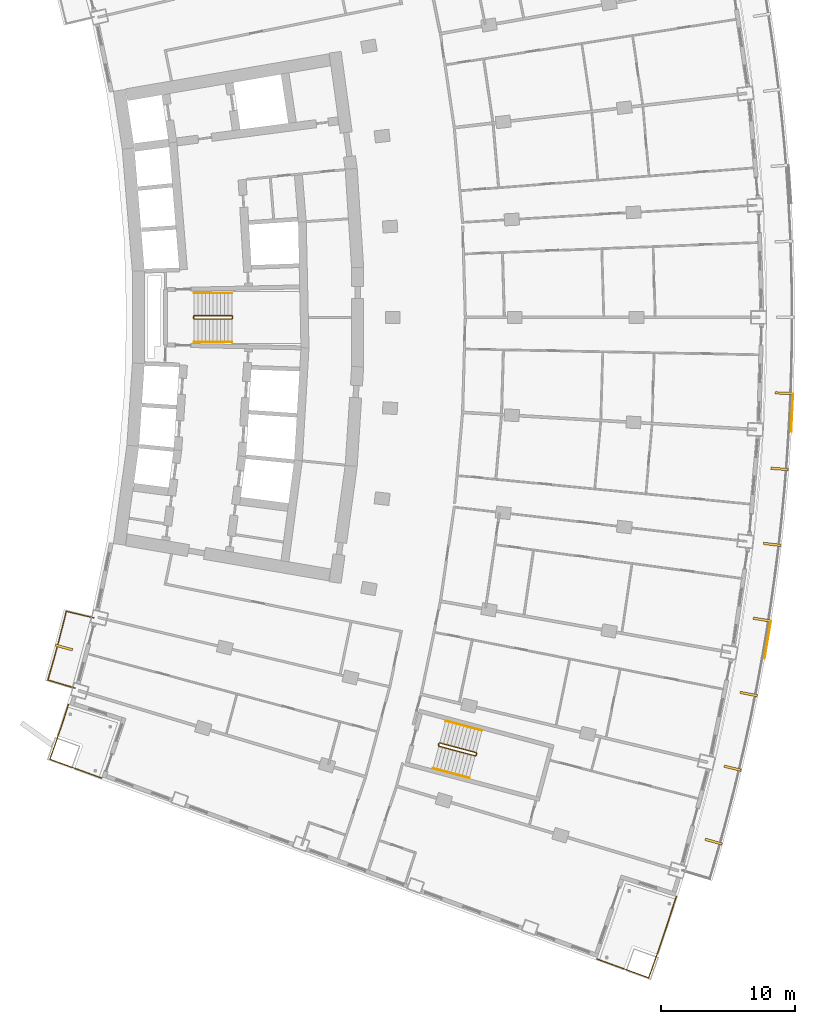
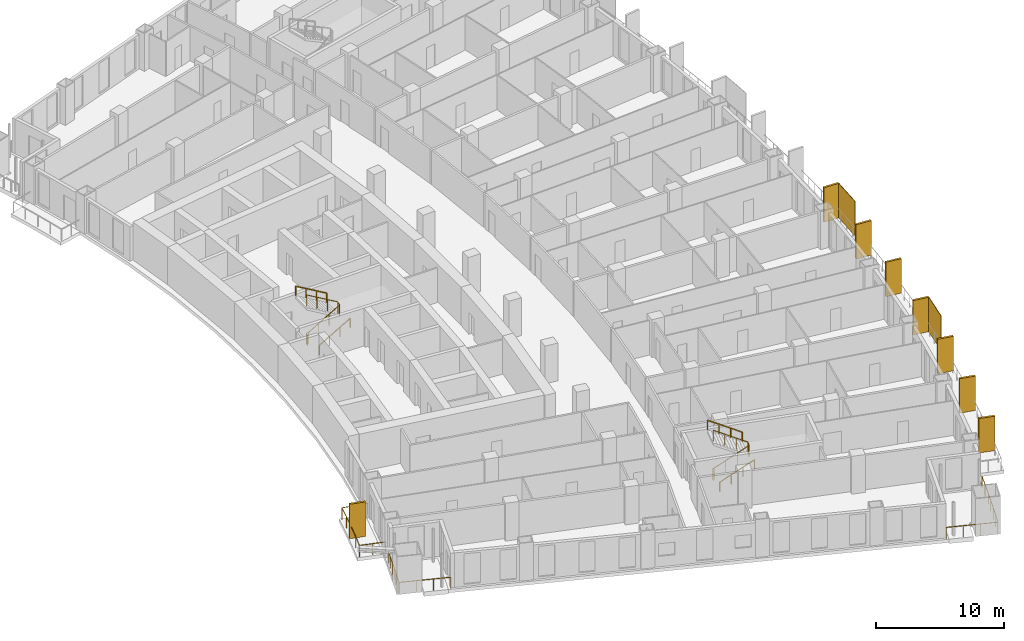
# One storey, part 23 of 25: 10 shading devices, 9 railings.
"""IFC4 building model written with IfcOpenShell, lengths in metres."""

from ifc_helpers import new_model, si_unit, direction, frame, origin, origin_with_axes, origin_2d, place, context, subcontext, project, spatial, rectangle, extrude, material, layer, layer_set, type_object, element, save


model = new_model("IFC4")

# Units and contexts
model_context = context("Model", 3, precision=1e-05, world=origin(), true_north=direction((0.0, 1.0)))
body_context = subcontext(model_context, "Body", "Model", "MODEL_VIEW")
ifc_project = project(units=[si_unit("LENGTHUNIT", "METRE"), si_unit("AREAUNIT", "SQUARE_METRE"), si_unit("VOLUMEUNIT", "CUBIC_METRE"), si_unit("PLANEANGLEUNIT", "RADIAN"), si_unit("MASSUNIT", "GRAM", prefix="KILO")], contexts=[model_context])

# Site, building, storey
site_placement = place(None, origin())
site = spatial("IfcSite", under=ifc_project, at=site_placement, CompositionType="ELEMENT")
building_placement = place(site_placement, origin())
building = spatial("IfcBuilding", under=site, at=building_placement, Name="Alderwake Tower", CompositionType="ELEMENT")
storey_placement = place(building_placement, frame((0.0, 0.0, 46.39990234375)))
storey = spatial("IfcBuildingStorey", under=building, at=storey_placement, Name="L10", CompositionType="ELEMENT", Elevation=46.39990234375)

# Railings
ifc_material_1 = material(Name="Stainless steel 316 rail and posts", Category="steel")
railing_type_1 = type_object("IfcRailingType", Name="Balcony guard 1100", PredefinedType="GUARDRAIL", material=ifc_material_1)
railing_1_placement = place(storey_placement, frame((12.16650390625, 33.435791015625, 0.0)))
element("IfcRailing", 1, at=railing_1_placement, inside=storey, type_object=railing_type_1, Name="Guard BR02", PredefinedType="GUARDRAIL", context=body_context, shape_type="SweptSolid", body=[
    extrude(rectangle(XDim=0.048095703125, YDim=0.048095703125, at=origin_2d()), frame((0.0, 0.0, 1.076171875), z_axis=(-0.958091458885, 0.286462486918, 0.0), x_axis=(-0.286462486918, -0.958091458885, 0.0)), (0.0, 0.0, 1.0), 2.099853515625),
    extrude(rectangle(XDim=0.048095703125, YDim=0.048095703125, at=origin_2d()), frame((-2.011962890625, 0.6015625, 1.076171875), z_axis=(0.279963157487, 0.960010744966, 0.0), x_axis=(-0.960010744966, 0.279963157487, 0.0)), (0.0, 0.0, 1.0), 1.272216796875),
    extrude(rectangle(XDim=0.048095703125, YDim=0.048095703125, at=origin_2d()), frame((-1.65576171875, 1.822998046875, 1.076171875), z_axis=(0.266487604617, 0.963838345671, 0.0), x_axis=(-0.963838345671, 0.266487604617, 0.0)), (0.0, 0.0, 1.0), 1.372314453125),
    extrude(rectangle(XDim=0.048095703125, YDim=0.048095703125, at=origin_2d()), frame((-1.2900390625, 3.145751953125, 1.076171875), z_axis=(0.252487086228, 0.967600264204, 0.0), x_axis=(-0.967600264204, 0.252487086228, 0.0)), (0.0, 0.0, 1.0), 1.3720703125),
    extrude(rectangle(XDim=0.048095703125, YDim=0.048095703125, at=origin_2d()), frame((-0.943603515625, 4.473388671875, 1.076171875), z_axis=(0.238877101641, 0.971049808358, 0.0), x_axis=(-0.971049808358, 0.238877101641, 0.0)), (0.0, 0.0, 1.0), 1.2724609375),
    extrude(rectangle(XDim=0.048095703125, YDim=0.048095703125, at=origin_2d()), frame((-0.6396484375, 5.708984375, 1.076171875), z_axis=(0.972646310656, -0.232291098337, 0.0), x_axis=(0.232291098337, 0.972646310656, 0.0)), (0.0, 0.0, 1.0), 2.099853515625),
    extrude(rectangle(XDim=0.0419921875, YDim=0.0419921875, at=origin_2d()), frame((0.0, 0.0, 0.0), z_axis=(0.0, 0.0, 1.0), x_axis=(-0.958091458885, 0.286462486918, 0.0)), (0.0, 0.0, 1.0), 1.052001953125),
    extrude(rectangle(XDim=0.0419921875, YDim=0.0419921875, at=origin_2d()), frame((-1.005859375, 0.30078125, 0.0), z_axis=(0.0, 0.0, 1.0), x_axis=(-0.958091458885, 0.286462486918, 0.0)), (0.0, 0.0, 1.0), 1.052001953125),
    extrude(rectangle(XDim=0.0419921875, YDim=0.0419921875, at=origin_2d()), frame((-2.011962890625, 0.6015625, 0.0), z_axis=(0.0, 0.0, 1.0), x_axis=(0.279963157487, 0.960010744966, 0.0)), (0.0, 0.0, 1.0), 1.052001953125),
    extrude(rectangle(XDim=0.0419921875, YDim=0.0419921875, at=origin_2d()), frame((-1.65576171875, 1.822998046875, 0.0), z_axis=(0.0, 0.0, 1.0), x_axis=(0.266487604617, 0.963838345671, 0.0)), (0.0, 0.0, 1.0), 1.052001953125),
    extrude(rectangle(XDim=0.0419921875, YDim=0.0419921875, at=origin_2d()), frame((-1.2900390625, 3.145751953125, 0.0), z_axis=(0.0, 0.0, 1.0), x_axis=(0.252487086228, 0.967600264204, 0.0)), (0.0, 0.0, 1.0), 1.052001953125),
    extrude(rectangle(XDim=0.0419921875, YDim=0.0419921875, at=origin_2d()), frame((-0.943603515625, 4.473388671875, 0.0), z_axis=(0.0, 0.0, 1.0), x_axis=(0.238877101641, 0.971049808358, 0.0)), (0.0, 0.0, 1.0), 1.052001953125),
    extrude(rectangle(XDim=0.0419921875, YDim=0.0419921875, at=origin_2d()), frame((-0.6396484375, 5.708984375, 0.0), z_axis=(0.0, 0.0, 1.0), x_axis=(0.972646310656, -0.232291098337, 0.0)), (0.0, 0.0, 1.0), 1.052001953125),
    extrude(rectangle(XDim=0.0419921875, YDim=0.0419921875, at=origin_2d()), frame((0.381591796875, 5.465087890625, 0.0), z_axis=(0.0, 0.0, 1.0), x_axis=(0.972646310656, -0.232291098337, 0.0)), (0.0, 0.0, 1.0), 1.052001953125),
    extrude(rectangle(XDim=0.0419921875, YDim=0.0419921875, at=origin_2d()), frame((1.40283203125, 5.22119140625, 0.0), z_axis=(0.0, 0.0, 1.0), x_axis=(0.972646310656, -0.232291098337, 0.0)), (0.0, 0.0, 1.0), 1.052001953125),
])
railing_2_placement = place(storey_placement, frame((56.88330078125, 17.927490234375, 0.0)))
element("IfcRailing", 2, at=railing_2_placement, inside=storey, type_object=railing_type_1, Name="Guard terrace FS", PredefinedType="GUARDRAIL", context=body_context, shape_type="SweptSolid", body=[
    extrude(rectangle(XDim=0.048095703125, YDim=0.048095703125, at=origin_2d()), frame((0.0, 0.0, 1.076171875), z_axis=(-0.307845801485, -0.951436262977, 0.0), x_axis=(0.951436262977, -0.307845801485, 0.0)), (0.0, 0.0, 1.0), 2.292724609375),
    extrude(rectangle(XDim=0.048095703125, YDim=0.048095703125, at=origin_2d()), frame((-0.705810546875, -2.181396484375, 1.076171875), z_axis=(-0.322241552388, -0.946657478666, 0.0), x_axis=(0.946657478666, -0.322241552388, 0.0)), (0.0, 0.0, 1.0), 2.092529296875),
    extrude(rectangle(XDim=0.048095703125, YDim=0.048095703125, at=origin_2d()), frame((-1.380126953125, -4.162353515625, 1.076171875), z_axis=(-0.335715388467, -0.941963469539, 0.0), x_axis=(0.941963469539, -0.335715388467, 0.0)), (0.0, 0.0, 1.0), 1.99267578125),
    extrude(rectangle(XDim=0.048095703125, YDim=0.048095703125, at=origin_2d()), frame((-2.049072265625, -6.039306640625, 1.076171875), z_axis=(-0.939624669849, 0.342206779317, 0.0), x_axis=(-0.342206779317, -0.939624669849, 0.0)), (0.0, 0.0, 1.0), 4.10009765625),
    extrude(rectangle(XDim=0.0419921875, YDim=0.0419921875, at=origin_2d()), frame((0.0, 0.0, 0.0), z_axis=(0.0, 0.0, 1.0), x_axis=(-0.307845801485, -0.951436262977, 0.0)), (0.0, 0.0, 1.0), 1.052001953125),
    extrude(rectangle(XDim=0.0419921875, YDim=0.0419921875, at=origin_2d()), frame((-0.35302734375, -1.0908203125, 0.0), z_axis=(0.0, 0.0, 1.0), x_axis=(-0.307845801485, -0.951436262977, 0.0)), (0.0, 0.0, 1.0), 1.052001953125),
    extrude(rectangle(XDim=0.0419921875, YDim=0.0419921875, at=origin_2d()), frame((-0.705810546875, -2.181396484375, 0.0), z_axis=(0.0, 0.0, 1.0), x_axis=(-0.322241552388, -0.946657478666, 0.0)), (0.0, 0.0, 1.0), 1.052001953125),
    extrude(rectangle(XDim=0.0419921875, YDim=0.0419921875, at=origin_2d()), frame((-1.04296875, -3.171875, 0.0), z_axis=(0.0, 0.0, 1.0), x_axis=(-0.322241552388, -0.946657478666, 0.0)), (0.0, 0.0, 1.0), 1.052001953125),
    extrude(rectangle(XDim=0.0419921875, YDim=0.0419921875, at=origin_2d()), frame((-1.380126953125, -4.162353515625, 0.0), z_axis=(0.0, 0.0, 1.0), x_axis=(-0.335715388467, -0.941963469539, 0.0)), (0.0, 0.0, 1.0), 1.052001953125),
    extrude(rectangle(XDim=0.0419921875, YDim=0.0419921875, at=origin_2d()), frame((-1.714599609375, -5.100830078125, 0.0), z_axis=(0.0, 0.0, 1.0), x_axis=(-0.335715388467, -0.941963469539, 0.0)), (0.0, 0.0, 1.0), 1.052001953125),
    extrude(rectangle(XDim=0.0419921875, YDim=0.0419921875, at=origin_2d()), frame((-2.049072265625, -6.039306640625, 0.0), z_axis=(0.0, 0.0, 1.0), x_axis=(-0.939624669849, 0.342206779317, 0.0)), (0.0, 0.0, 1.0), 1.052001953125),
    extrude(rectangle(XDim=0.0419921875, YDim=0.0419921875, at=origin_2d()), frame((-3.333251953125, -5.571533203125, 0.0), z_axis=(0.0, 0.0, 1.0), x_axis=(-0.939624669849, 0.342206779317, 0.0)), (0.0, 0.0, 1.0), 1.052001953125),
    extrude(rectangle(XDim=0.0419921875, YDim=0.0419921875, at=origin_2d()), frame((-4.617431640625, -5.10400390625, 0.0), z_axis=(0.0, 0.0, 1.0), x_axis=(-0.939624669849, 0.342206779317, 0.0)), (0.0, 0.0, 1.0), 1.052001953125),
    extrude(rectangle(XDim=0.0419921875, YDim=0.0419921875, at=origin_2d()), frame((-5.901611328125, -4.63623046875, 0.0), z_axis=(0.0, 0.0, 1.0), x_axis=(-0.939624669849, 0.342206779317, 0.0)), (0.0, 0.0, 1.0), 1.052001953125),
])
railing_3_placement = place(storey_placement, frame((11.688720703125, 32.218017578125, 0.0)))
element("IfcRailing", 3, at=railing_3_placement, inside=storey, type_object=railing_type_1, Name="Guard terrace RS", PredefinedType="GUARDRAIL", context=body_context, shape_type="SweptSolid", body=[
    extrude(rectangle(XDim=0.048095703125, YDim=0.048095703125, at=origin_2d()), frame((0.0, 0.0, 1.076171875), z_axis=(-0.307479326145, -0.951554761426, 0.0), x_axis=(0.951554761426, -0.307479326145, 0.0)), (0.0, 0.0, 1.0), 1.6015625),
    extrude(rectangle(XDim=0.048095703125, YDim=0.048095703125, at=origin_2d()), frame((-0.492431640625, -1.52392578125, 1.076171875), z_axis=(-0.322283727344, -0.946643121292, 0.0), x_axis=(0.946643121292, -0.322283727344, 0.0)), (0.0, 0.0, 1.0), 1.4013671875),
    extrude(rectangle(XDim=0.048095703125, YDim=0.048095703125, at=origin_2d()), frame((-0.944091796875, -2.8505859375, 1.076171875), z_axis=(-0.335468607403, -0.942051385778, 0.0), x_axis=(0.942051385778, -0.335468607403, 0.0)), (0.0, 0.0, 1.0), 1.30126953125),
    extrude(rectangle(XDim=0.048095703125, YDim=0.048095703125, at=origin_2d()), frame((-1.380615234375, -4.076416015625, 1.076171875), z_axis=(0.939708203232, -0.341977327873, 0.0), x_axis=(0.341977327873, 0.939708203232, 0.0)), (0.0, 0.0, 1.0), 4.10009765625),
    extrude(rectangle(XDim=0.0419921875, YDim=0.0419921875, at=origin_2d()), frame((0.0, 0.0, 0.0), z_axis=(0.0, 0.0, 1.0), x_axis=(-0.307479326145, -0.951554761426, 0.0)), (0.0, 0.0, 1.0), 1.052001953125),
    extrude(rectangle(XDim=0.0419921875, YDim=0.0419921875, at=origin_2d()), frame((-0.24609375, -0.761962890625, 0.0), z_axis=(0.0, 0.0, 1.0), x_axis=(-0.307479326145, -0.951554761426, 0.0)), (0.0, 0.0, 1.0), 1.052001953125),
    extrude(rectangle(XDim=0.0419921875, YDim=0.0419921875, at=origin_2d()), frame((-0.492431640625, -1.52392578125, 0.0), z_axis=(0.0, 0.0, 1.0), x_axis=(-0.322283727344, -0.946643121292, 0.0)), (0.0, 0.0, 1.0), 1.052001953125),
    extrude(rectangle(XDim=0.0419921875, YDim=0.0419921875, at=origin_2d()), frame((-0.71826171875, -2.187255859375, 0.0), z_axis=(0.0, 0.0, 1.0), x_axis=(-0.322283727344, -0.946643121292, 0.0)), (0.0, 0.0, 1.0), 1.052001953125),
    extrude(rectangle(XDim=0.0419921875, YDim=0.0419921875, at=origin_2d()), frame((-0.944091796875, -2.8505859375, 0.0), z_axis=(0.0, 0.0, 1.0), x_axis=(-0.335468607403, -0.942051385778, 0.0)), (0.0, 0.0, 1.0), 1.052001953125),
    extrude(rectangle(XDim=0.0419921875, YDim=0.0419921875, at=origin_2d()), frame((-1.380615234375, -4.076416015625, 0.0), z_axis=(0.0, 0.0, 1.0), x_axis=(0.939708203232, -0.341977327873, 0.0)), (0.0, 0.0, 1.0), 1.052001953125),
    extrude(rectangle(XDim=0.0419921875, YDim=0.0419921875, at=origin_2d()), frame((-0.096435546875, -4.543701171875, 0.0), z_axis=(0.0, 0.0, 1.0), x_axis=(0.939708203232, -0.341977327873, 0.0)), (0.0, 0.0, 1.0), 1.052001953125),
    extrude(rectangle(XDim=0.0419921875, YDim=0.0419921875, at=origin_2d()), frame((1.18798828125, -5.01123046875, 0.0), z_axis=(0.0, 0.0, 1.0), x_axis=(0.939708203232, -0.341977327873, 0.0)), (0.0, 0.0, 1.0), 1.052001953125),
    extrude(rectangle(XDim=0.0419921875, YDim=0.0419921875, at=origin_2d()), frame((2.47216796875, -5.478515625, 0.0), z_axis=(0.0, 0.0, 1.0), x_axis=(0.939708203232, -0.341977327873, 0.0)), (0.0, 0.0, 1.0), 1.052001953125),
])

# Shading devices
ifc_material_2 = material(Name="Bronze anodised aluminium", Category="aluminium")
ifc_layer_1 = layer(ifc_material_2, 0.179931640625)
ifc_layer_set_1 = layer_set([ifc_layer_1], Name="Facade fin 1300")
shading_device_type_1 = type_object("IfcShadingDeviceType", Name="Facade fin 1300", PredefinedType="USERDEFINED", material=ifc_layer_set_1)
for number, where, z_axis, x_axis, name in (
    (4, (59.661376953125, 22.0166015625, 0.0), (0.0, 0.0, 1.0), (0.96318180783, -0.268850897459, 0.0), "Fin"),
    (5, (61.07177734375, 27.4775390625, 0.0), (0.0, 0.0, 1.0), (0.972908790564, -0.231189284448, 0.0), "Fin"),
    (6, (62.268798828125, 32.9892578125, 0.0), (0.0, 0.0, 1.0), (0.981163751315, -0.193177879441, 0.0), "Fin"),
    (7, (63.248291015625, 38.52880859375, 0.0), (0.0, 0.0, 1.0), (0.987918787879, -0.154972476771, 0.0), "Fin"),
    (8, (64.013916015625, 44.116943359375, 0.0), (0.0, 0.0, 1.0), (0.993198315083, -0.116434990084, 0.0), "Fin"),
    (9, (64.561279296875, 49.73046875, 0.0), (0.0, 0.0, 1.0), (0.996975122026, -0.077721335943, 0.0), "Fin"),
    (10, (64.890380859375, 55.36083984375, 0.0), (0.0, 0.0, 1.0), (0.999243494356, -0.038890088543, 0.0), "Fin"),
    (11, (11.359375, 36.45166015625, 0.0), (0.0, 0.0, 1.0), (0.965744448231, -0.259495010957, 0.0), "Fin"),
):
    element("IfcShadingDevice", number, at=place(storey_placement, frame(where, z_axis=z_axis, x_axis=x_axis)), inside=storey, type_object=shading_device_type_1, Name=name, ObjectType="FIN", PredefinedType="USERDEFINED", context=body_context, shape_type="SweptSolid", body=[
        extrude(rectangle(XDim=1.300048828125, YDim=0.179931640625, at=origin_2d()), origin(), (0.0, 0.0, 1.0), 3.280029296875),
    ])
ifc_material_3 = material(Name="Perforated bronze anodised aluminium", Category="aluminium")
ifc_layer_2 = layer(ifc_material_3, 0.050048828125)
ifc_layer_set_2 = layer_set([ifc_layer_2], Name="Perforated screen panel")
shading_device_type_2 = type_object("IfcShadingDeviceType", Name="Perforated screen panel", PredefinedType="USERDEFINED", material=ifc_layer_set_2)
for number, where, z_axis, x_axis, name in (
    (12, (63.6826171875, 37.030517578125, 0.0), (0.0, 0.0, 1.0), (0.986369013299, -0.164548380739, 0.0), "Screen panel"),
    (13, (65.49609375, 53.92333984375, 0.0), (0.0, 0.0, 1.0), (0.998819231138, -0.048581308217, 0.0), "Screen panel"),
):
    element("IfcShadingDevice", number, at=place(storey_placement, frame(where, z_axis=z_axis, x_axis=x_axis)), inside=storey, type_object=shading_device_type_2, Name=name, ObjectType="SCREEN", PredefinedType="USERDEFINED", context=body_context, shape_type="SweptSolid", body=[
        extrude(rectangle(XDim=0.050048828125, YDim=2.826171875, at=origin_2d()), origin(), (0.0, 0.0, 1.0), 3.280029296875),
    ])

# Railings
ifc_material_4 = material(Name="Stainless steel guard", Category="steel")
railing_type_2 = type_object("IfcRailingType", Name="Stair guard 1100", PredefinedType="GUARDRAIL", material=ifc_material_4)
railing_4_placement = place(storey_placement, frame((20.989990234375, 60.925048828125, 0.0)))
element("IfcRailing", 14, at=railing_4_placement, inside=storey, type_object=railing_type_2, Name="L10 ST-B stair guard 1", PredefinedType="GUARDRAIL", context=body_context, shape_type="SweptSolid", body=[
    extrude(rectangle(XDim=0.048095703125, YDim=0.048095703125, at=origin_2d()), frame((0.0, 0.0, 1.076171875), z_axis=(0.0, 1.0, 0.0), x_axis=(-1.0, 0.0, 0.0)), (0.0, 0.0, 1.0), 0.14990234375),
    extrude(rectangle(XDim=0.048095703125, YDim=0.048095703125, at=origin_2d()), frame((0.0, 0.14990234375, 1.076171875), z_axis=(0.190089865108, -0.759432192796, 0.622196582865), x_axis=(0.970072785993, 0.242814311512, 0.0)), (0.0, 0.0, 1.0), 0.26318359375),
    extrude(rectangle(XDim=0.048095703125, YDim=0.048095703125, at=origin_2d()), frame((0.050048828125, -0.050048828125, 1.23974609375), z_axis=(0.863393664356, 0.0, 0.504530851732), x_axis=(0.0, 1.0, 0.0)), (0.0, 0.0, 1.0), 3.2431640625),
    extrude(rectangle(XDim=0.048095703125, YDim=0.048095703125, at=origin_2d()), frame((2.85009765625, -0.050048828125, 2.8759765625), z_axis=(0.705375805398, 0.708833529934, 0.0), x_axis=(-0.708833529934, 0.705375805398, 0.0)), (0.0, 0.0, 1.0), 0.070556640625),
    extrude(rectangle(XDim=0.048095703125, YDim=0.048095703125, at=origin_2d()), frame((2.89990234375, 0.0, 2.8759765625), z_axis=(0.0, 1.0, 0.0), x_axis=(-1.0, 0.0, 0.0)), (0.0, 0.0, 1.0), 0.14990234375),
    extrude(rectangle(XDim=0.048095703125, YDim=0.048095703125, at=origin_2d()), frame((2.89990234375, 0.14990234375, 2.8759765625), z_axis=(-0.279546231943, 0.280916556609, 0.91811752648), x_axis=(-0.708833529934, -0.705375805398, 0.0)), (0.0, 0.0, 1.0), 0.17822265625),
    extrude(rectangle(XDim=0.048095703125, YDim=0.048095703125, at=origin_2d()), frame((2.85009765625, 0.199951171875, 3.03955078125), z_axis=(-0.863360870873, 0.0, 0.504586966384), x_axis=(0.0, -1.0, 0.0)), (0.0, 0.0, 1.0), 3.2431640625),
    extrude(rectangle(XDim=0.0419921875, YDim=0.0419921875, at=origin_2d()), frame((0.0, 0.0, 0.0), z_axis=(0.0, 0.0, 1.0), x_axis=(0.0, 1.0, 0.0)), (0.0, 0.0, 1.0), 1.052001953125),
    extrude(rectangle(XDim=0.0419921875, YDim=0.0419921875, at=origin_2d()), frame((0.0, 0.14990234375, 0.0), z_axis=(0.0, 0.0, 1.0), x_axis=(0.242814311512, -0.970072785993, 0.0)), (0.0, 0.0, 1.0), 1.052001953125),
    extrude(rectangle(XDim=0.0419921875, YDim=0.0419921875, at=origin_2d()), frame((0.050048828125, -0.050048828125, 0.163818359375), z_axis=(0.0, 0.0, 1.0), x_axis=(1.0, 0.0, 0.0)), (0.0, 0.0, 1.0), 1.052001953125),
    extrude(rectangle(XDim=0.0419921875, YDim=0.0419921875, at=origin_2d()), frame((0.9833984375, -0.050048828125, 0.709228515625), z_axis=(0.0, 0.0, 1.0), x_axis=(1.0, 0.0, 0.0)), (0.0, 0.0, 1.0), 1.052001953125),
    extrude(rectangle(XDim=0.0419921875, YDim=0.0419921875, at=origin_2d()), frame((1.916748046875, -0.050048828125, 1.254638671875), z_axis=(0.0, 0.0, 1.0), x_axis=(1.0, 0.0, 0.0)), (0.0, 0.0, 1.0), 1.052001953125),
    extrude(rectangle(XDim=0.0419921875, YDim=0.0419921875, at=origin_2d()), frame((2.85009765625, -0.050048828125, 1.800048828125), z_axis=(0.0, 0.0, 1.0), x_axis=(0.705375805398, 0.708833529934, 0.0)), (0.0, 0.0, 1.0), 1.052001953125),
    extrude(rectangle(XDim=0.0419921875, YDim=0.0419921875, at=origin_2d()), frame((2.89990234375, 0.0, 1.800048828125), z_axis=(0.0, 0.0, 1.0), x_axis=(0.0, 1.0, 0.0)), (0.0, 0.0, 1.0), 1.052001953125),
    extrude(rectangle(XDim=0.0419921875, YDim=0.0419921875, at=origin_2d()), frame((2.89990234375, 0.14990234375, 1.800048828125), z_axis=(0.0, 0.0, 1.0), x_axis=(-0.705375805398, 0.708833529934, 0.0)), (0.0, 0.0, 1.0), 1.052001953125),
    extrude(rectangle(XDim=0.0419921875, YDim=0.0419921875, at=origin_2d()), frame((2.85009765625, 0.199951171875, 1.963623046875), z_axis=(0.0, 0.0, 1.0), x_axis=(-1.0, 0.0, 0.0)), (0.0, 0.0, 1.0), 1.052001953125),
    extrude(rectangle(XDim=0.0419921875, YDim=0.0419921875, at=origin_2d()), frame((1.916748046875, 0.199951171875, 2.509033203125), z_axis=(0.0, 0.0, 1.0), x_axis=(-1.0, 0.0, 0.0)), (0.0, 0.0, 1.0), 1.052001953125),
    extrude(rectangle(XDim=0.0419921875, YDim=0.0419921875, at=origin_2d()), frame((0.9833984375, 0.199951171875, 3.0546875), z_axis=(0.0, 0.0, 1.0), x_axis=(-1.0, 0.0, 0.0)), (0.0, 0.0, 1.0), 1.052001953125),
    extrude(rectangle(XDim=0.0419921875, YDim=0.0419921875, at=origin_2d()), frame((0.050048828125, 0.199951171875, 3.60009765625), z_axis=(0.0, 0.0, 1.0), x_axis=(-1.0, 0.0, 0.0)), (0.0, 0.0, 1.0), 1.052001953125),
])
railing_5_placement = place(storey_placement, frame((39.1943359375, 29.17431640625, 0.0)))
element("IfcRailing", 15, at=railing_5_placement, inside=storey, type_object=railing_type_2, Name="L10 ST-C stair guard 1", PredefinedType="GUARDRAIL", context=body_context, shape_type="SweptSolid", body=[
    extrude(rectangle(XDim=0.048095703125, YDim=0.048095703125, at=origin_2d()), frame((0.0, 0.0, 1.076171875), z_axis=(0.257459803502, 0.966289009345, 0.0), x_axis=(-0.966289009345, 0.257459803502, 0.0)), (0.0, 0.0, 1.0), 0.14990234375),
    extrude(rectangle(XDim=0.048095703125, YDim=0.048095703125, at=origin_2d()), frame((0.03857421875, 0.144775390625, 1.076171875), z_axis=(-0.012055935761, -0.782708444821, 0.622271761226), x_axis=(0.999881397308, -0.015401016783, 0.0)), (0.0, 0.0, 1.0), 0.26318359375),
    extrude(rectangle(XDim=0.048095703125, YDim=0.048095703125, at=origin_2d()), frame((0.035400390625, -0.061279296875, 1.23974609375), z_axis=(0.834313512087, -0.222222637163, 0.504517653885), x_axis=(0.257380452725, 0.966310148221, 0.0)), (0.0, 0.0, 1.0), 3.2431640625),
    extrude(rectangle(XDim=0.048095703125, YDim=0.048095703125, at=origin_2d()), frame((2.7412109375, -0.781982421875, 2.8759765625), z_axis=(0.865031189262, 0.501718089772, 0.0), x_axis=(-0.501718089772, 0.865031189262, 0.0)), (0.0, 0.0, 1.0), 0.070556640625),
    extrude(rectangle(XDim=0.048095703125, YDim=0.048095703125, at=origin_2d()), frame((2.80224609375, -0.74658203125, 2.8759765625), z_axis=(0.257055032184, 0.966396766566, 0.0), x_axis=(-0.966396766566, 0.257055032184, 0.0)), (0.0, 0.0, 1.0), 0.150146484375),
    extrude(rectangle(XDim=0.048095703125, YDim=0.048095703125, at=origin_2d()), frame((2.8408203125, -0.6015625, 2.8759765625), z_axis=(-0.198625291617, 0.343827228937, 0.91778583023), x_axis=(-0.865898279276, -0.500220121494, 0.0)), (0.0, 0.0, 1.0), 0.17822265625),
    extrude(rectangle(XDim=0.048095703125, YDim=0.048095703125, at=origin_2d()), frame((2.805419921875, -0.540283203125, 3.03955078125), z_axis=(-0.834258940753, 0.22222815314, 0.504605457487), x_axis=(-0.257402139082, -0.966304371715, 0.0)), (0.0, 0.0, 1.0), 3.2431640625),
    extrude(rectangle(XDim=0.0419921875, YDim=0.0419921875, at=origin_2d()), frame((0.0, 0.0, 0.0), z_axis=(0.0, 0.0, 1.0), x_axis=(0.257459803502, 0.966289009345, 0.0)), (0.0, 0.0, 1.0), 1.052001953125),
    extrude(rectangle(XDim=0.0419921875, YDim=0.0419921875, at=origin_2d()), frame((0.03857421875, 0.144775390625, 0.0), z_axis=(0.0, 0.0, 1.0), x_axis=(-0.015401016783, -0.999881397308, 0.0)), (0.0, 0.0, 1.0), 1.052001953125),
    extrude(rectangle(XDim=0.0419921875, YDim=0.0419921875, at=origin_2d()), frame((0.035400390625, -0.061279296875, 0.163818359375), z_axis=(0.0, 0.0, 1.0), x_axis=(0.966310148221, -0.257380452725, 0.0)), (0.0, 0.0, 1.0), 1.052001953125),
    extrude(rectangle(XDim=0.0419921875, YDim=0.0419921875, at=origin_2d()), frame((0.937255859375, -0.301513671875, 0.709228515625), z_axis=(0.0, 0.0, 1.0), x_axis=(0.966310148221, -0.257380452725, 0.0)), (0.0, 0.0, 1.0), 1.052001953125),
    extrude(rectangle(XDim=0.0419921875, YDim=0.0419921875, at=origin_2d()), frame((1.83935546875, -0.541748046875, 1.254638671875), z_axis=(0.0, 0.0, 1.0), x_axis=(0.966310148221, -0.257380452725, 0.0)), (0.0, 0.0, 1.0), 1.052001953125),
    extrude(rectangle(XDim=0.0419921875, YDim=0.0419921875, at=origin_2d()), frame((2.7412109375, -0.781982421875, 1.800048828125), z_axis=(0.0, 0.0, 1.0), x_axis=(0.865031189262, 0.501718089772, 0.0)), (0.0, 0.0, 1.0), 1.052001953125),
    extrude(rectangle(XDim=0.0419921875, YDim=0.0419921875, at=origin_2d()), frame((2.80224609375, -0.74658203125, 1.800048828125), z_axis=(0.0, 0.0, 1.0), x_axis=(0.257055032184, 0.966396766566, 0.0)), (0.0, 0.0, 1.0), 1.052001953125),
    extrude(rectangle(XDim=0.0419921875, YDim=0.0419921875, at=origin_2d()), frame((2.8408203125, -0.6015625, 1.800048828125), z_axis=(0.0, 0.0, 1.0), x_axis=(-0.500220121494, 0.865898279276, 0.0)), (0.0, 0.0, 1.0), 1.052001953125),
    extrude(rectangle(XDim=0.0419921875, YDim=0.0419921875, at=origin_2d()), frame((2.805419921875, -0.540283203125, 1.963623046875), z_axis=(0.0, 0.0, 1.0), x_axis=(-0.966304371715, 0.257402139082, 0.0)), (0.0, 0.0, 1.0), 1.052001953125),
    extrude(rectangle(XDim=0.0419921875, YDim=0.0419921875, at=origin_2d()), frame((1.903564453125, -0.300048828125, 2.509033203125), z_axis=(0.0, 0.0, 1.0), x_axis=(-0.966304371715, 0.257402139082, 0.0)), (0.0, 0.0, 1.0), 1.052001953125),
    extrude(rectangle(XDim=0.0419921875, YDim=0.0419921875, at=origin_2d()), frame((1.001708984375, -0.059814453125, 3.0546875), z_axis=(0.0, 0.0, 1.0), x_axis=(-0.966304371715, 0.257402139082, 0.0)), (0.0, 0.0, 1.0), 1.052001953125),
    extrude(rectangle(XDim=0.0419921875, YDim=0.0419921875, at=origin_2d()), frame((0.099853515625, 0.180419921875, 3.60009765625), z_axis=(0.0, 0.0, 1.0), x_axis=(-0.966304371715, 0.257402139082, 0.0)), (0.0, 0.0, 1.0), 1.052001953125),
])
ifc_material_5 = material(Name="Stainless steel handrail", Category="steel")
railing_type_3 = type_object("IfcRailingType", Name="Stair handrail 900", PredefinedType="HANDRAIL", material=ifc_material_5)
railing_6_placement = place(storey_placement, frame((21.0400390625, 59.175048828125, 0.163818359375)))
element("IfcRailing", 16, at=railing_6_placement, inside=storey, type_object=railing_type_3, Name="L10 ST-B stair handrail 1", PredefinedType="HANDRAIL", context=body_context, shape_type="SweptSolid", body=[
    extrude(rectangle(XDim=0.048095703125, YDim=0.048095703125, at=origin_2d()), frame((0.0, 0.0, 0.8759765625), z_axis=(0.863393664356, 0.0, 0.504530851732), x_axis=(0.0, 1.0, 0.0)), (0.0, 0.0, 1.0), 3.2431640625),
    extrude(rectangle(XDim=0.0419921875, YDim=0.0419921875, at=origin_2d()), origin_with_axes(), (0.0, 0.0, 1.0), 0.851806640625),
    extrude(rectangle(XDim=0.0419921875, YDim=0.0419921875, at=origin_2d()), frame((0.933349609375, 0.0, 0.54541015625), z_axis=(0.0, 0.0, 1.0), x_axis=(1.0, 0.0, 0.0)), (0.0, 0.0, 1.0), 0.851806640625),
    extrude(rectangle(XDim=0.0419921875, YDim=0.0419921875, at=origin_2d()), frame((1.86669921875, 0.0, 1.0908203125), z_axis=(0.0, 0.0, 1.0), x_axis=(1.0, 0.0, 0.0)), (0.0, 0.0, 1.0), 0.851806640625),
    extrude(rectangle(XDim=0.0419921875, YDim=0.0419921875, at=origin_2d()), frame((2.800048828125, 0.0, 1.63623046875), z_axis=(0.0, 0.0, 1.0), x_axis=(1.0, 0.0, 0.0)), (0.0, 0.0, 1.0), 0.851806640625),
])
railing_7_placement = place(storey_placement, frame((23.840087890625, 62.824951171875, 1.963623046875)))
element("IfcRailing", 17, at=railing_7_placement, inside=storey, type_object=railing_type_3, Name="L10 ST-B stair handrail 2", PredefinedType="HANDRAIL", context=body_context, shape_type="SweptSolid", body=[
    extrude(rectangle(XDim=0.048095703125, YDim=0.048095703125, at=origin_2d()), frame((0.0, 0.0, 0.8759765625), z_axis=(-0.863360870873, 0.0, 0.504586966384), x_axis=(0.0, -1.0, 0.0)), (0.0, 0.0, 1.0), 3.2431640625),
    extrude(rectangle(XDim=0.0419921875, YDim=0.0419921875, at=origin_2d()), frame((0.0, 0.0, 0.0), z_axis=(0.0, 0.0, 1.0), x_axis=(-1.0, 0.0, 0.0)), (0.0, 0.0, 1.0), 0.851806640625),
    extrude(rectangle(XDim=0.0419921875, YDim=0.0419921875, at=origin_2d()), frame((-0.933349609375, 0.0, 0.54541015625), z_axis=(0.0, 0.0, 1.0), x_axis=(-1.0, 0.0, 0.0)), (0.0, 0.0, 1.0), 0.851806640625),
    extrude(rectangle(XDim=0.0419921875, YDim=0.0419921875, at=origin_2d()), frame((-1.86669921875, 0.0, 1.091064453125), z_axis=(0.0, 0.0, 1.0), x_axis=(-1.0, 0.0, 0.0)), (0.0, 0.0, 1.0), 0.851806640625),
    extrude(rectangle(XDim=0.0419921875, YDim=0.0419921875, at=origin_2d()), frame((-2.800048828125, 0.0, 1.636474609375), z_axis=(0.0, 0.0, 1.0), x_axis=(-1.0, 0.0, 0.0)), (0.0, 0.0, 1.0), 0.851806640625),
])
railing_8_placement = place(storey_placement, frame((38.792236328125, 27.47021484375, 0.163818359375)))
element("IfcRailing", 18, at=railing_8_placement, inside=storey, type_object=railing_type_3, Name="L10 ST-C stair handrail 1", PredefinedType="HANDRAIL", context=body_context, shape_type="SweptSolid", body=[
    extrude(rectangle(XDim=0.048095703125, YDim=0.048095703125, at=origin_2d()), frame((0.0, 0.0, 0.8759765625), z_axis=(0.834304587439, -0.222165027751, 0.504557782442), x_axis=(0.25732071773, 0.966326056891, 0.0)), (0.0, 0.0, 1.0), 3.242919921875),
    extrude(rectangle(XDim=0.0419921875, YDim=0.0419921875, at=origin_2d()), frame((0.0, 0.0, 0.0), z_axis=(0.0, 0.0, 1.0), x_axis=(0.966326056891, -0.25732071773, 0.0)), (0.0, 0.0, 1.0), 0.851806640625),
    extrude(rectangle(XDim=0.0419921875, YDim=0.0419921875, at=origin_2d()), frame((0.90185546875, -0.240234375, 0.54541015625), z_axis=(0.0, 0.0, 1.0), x_axis=(0.966326056891, -0.25732071773, 0.0)), (0.0, 0.0, 1.0), 0.851806640625),
    extrude(rectangle(XDim=0.0419921875, YDim=0.0419921875, at=origin_2d()), frame((1.8037109375, -0.480224609375, 1.0908203125), z_axis=(0.0, 0.0, 1.0), x_axis=(0.966326056891, -0.25732071773, 0.0)), (0.0, 0.0, 1.0), 0.851806640625),
    extrude(rectangle(XDim=0.0419921875, YDim=0.0419921875, at=origin_2d()), frame((2.70556640625, -0.720458984375, 1.63623046875), z_axis=(0.0, 0.0, 1.0), x_axis=(0.966326056891, -0.25732071773, 0.0)), (0.0, 0.0, 1.0), 0.851806640625),
])
railing_9_placement = place(storey_placement, frame((42.437255859375, 30.276611328125, 1.963623046875)))
element("IfcRailing", 19, at=railing_9_placement, inside=storey, type_object=railing_type_3, Name="L10 ST-C stair handrail 2", PredefinedType="HANDRAIL", context=body_context, shape_type="SweptSolid", body=[
    extrude(rectangle(XDim=0.048095703125, YDim=0.048095703125, at=origin_2d()), frame((0.0, 0.0, 0.8759765625), z_axis=(-0.834258940753, 0.22222815314, 0.504605457487), x_axis=(-0.257402139082, -0.966304371715, 0.0)), (0.0, 0.0, 1.0), 3.2431640625),
    extrude(rectangle(XDim=0.0419921875, YDim=0.0419921875, at=origin_2d()), frame((0.0, 0.0, 0.0), z_axis=(0.0, 0.0, 1.0), x_axis=(-0.966304371715, 0.257402139082, 0.0)), (0.0, 0.0, 1.0), 0.851806640625),
    extrude(rectangle(XDim=0.0419921875, YDim=0.0419921875, at=origin_2d()), frame((-0.90185546875, 0.240234375, 0.54541015625), z_axis=(0.0, 0.0, 1.0), x_axis=(-0.966304371715, 0.257402139082, 0.0)), (0.0, 0.0, 1.0), 0.851806640625),
    extrude(rectangle(XDim=0.0419921875, YDim=0.0419921875, at=origin_2d()), frame((-1.8037109375, 0.48046875, 1.091064453125), z_axis=(0.0, 0.0, 1.0), x_axis=(-0.966304371715, 0.257402139082, 0.0)), (0.0, 0.0, 1.0), 0.851806640625),
    extrude(rectangle(XDim=0.0419921875, YDim=0.0419921875, at=origin_2d()), frame((-2.70556640625, 0.720703125, 1.636474609375), z_axis=(0.0, 0.0, 1.0), x_axis=(-0.966304371715, 0.257402139082, 0.0)), (0.0, 0.0, 1.0), 0.851806640625),
])

save(model, "model.ifc")
